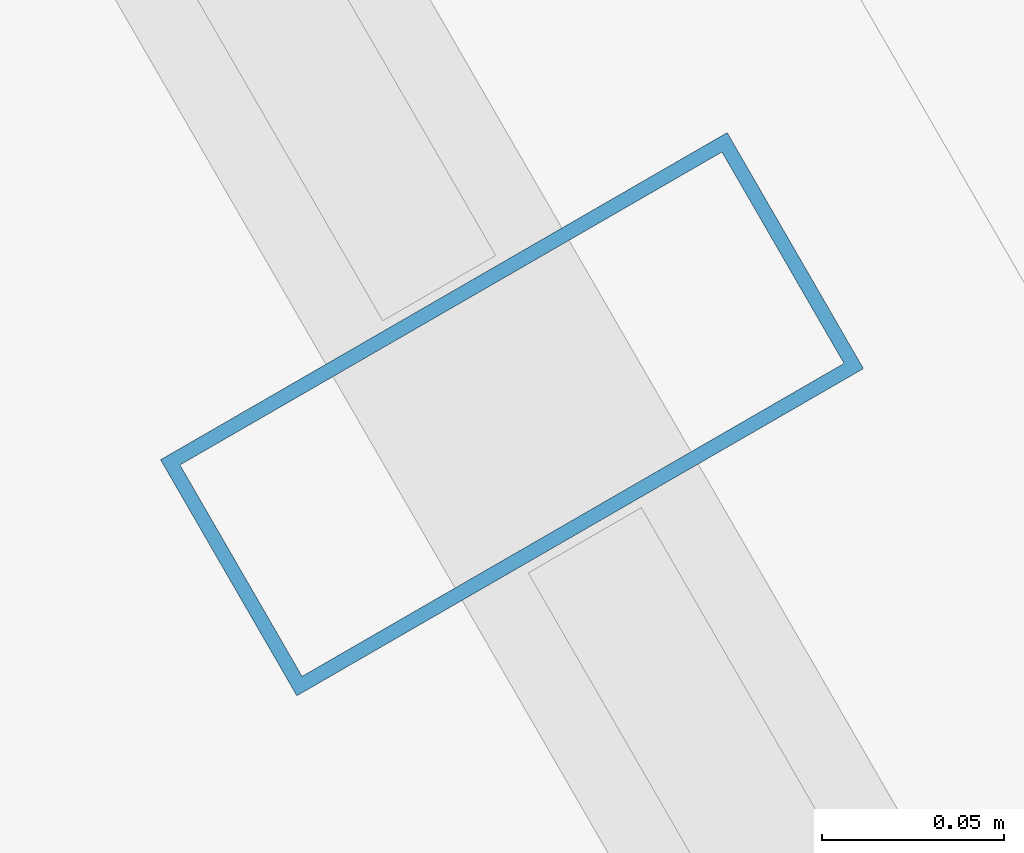
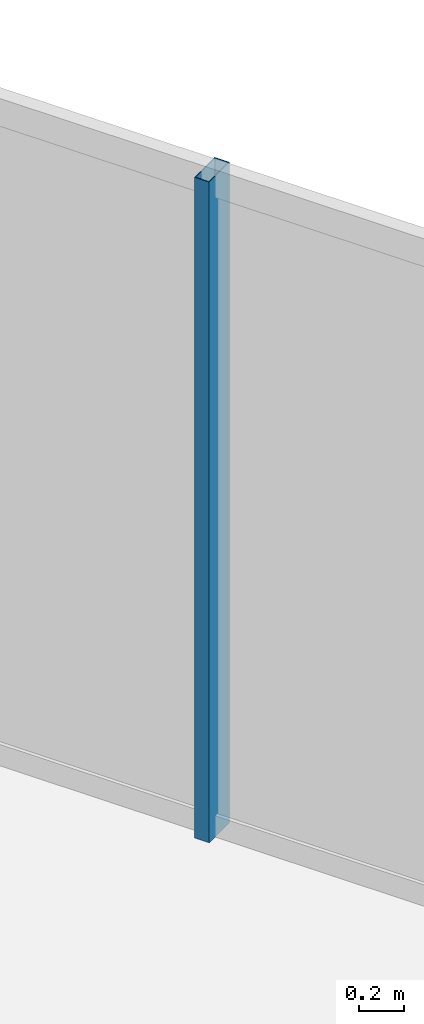
# One storey, part 27 of 35: 1 member, 1 element without a shape of its own.
"""IFC4 building model written with IfcOpenShell, lengths in metres."""

from ifc_helpers import new_model, si_unit, direction, frame, origin, origin_2d, place, context, subcontext, project, spatial, hollow_rectangle, extrude, material, layer, layer_set, material_profile, profile_set, type_object, element, aggregate, save


model = new_model("IFC4")

# Units and contexts
model_context = context("Model", 3, precision=1e-05, world=origin(), true_north=direction((0.0, 1.0)))
body_context = subcontext(model_context, "Body", "Model", "MODEL_VIEW")
ifc_project = project(units=[si_unit("LENGTHUNIT", "METRE"), si_unit("AREAUNIT", "SQUARE_METRE"), si_unit("VOLUMEUNIT", "CUBIC_METRE"), si_unit("PLANEANGLEUNIT", "RADIAN"), si_unit("MASSUNIT", "GRAM", prefix="KILO")], contexts=[model_context])

# Site, building, storey
site_placement = place(None, origin())
site = spatial("IfcSite", under=ifc_project, at=site_placement, CompositionType="ELEMENT")
building_placement = place(site_placement, origin())
building = spatial("IfcBuilding", under=site, at=building_placement, Name="Ndaravel Arena Tower", CompositionType="ELEMENT")
storey_placement = place(building_placement, frame((0.0, 0.0, 271.199951171875)))
storey = spatial("IfcBuildingStorey", under=building, at=storey_placement, Name="L66", CompositionType="ELEMENT", Elevation=271.199951171875)

# Curtain wall, member
ifc_material_1 = material(Name="Aluminium", Category="aluminium")
ifc_layer = layer(ifc_material_1, 0.179931640625)
ifc_layer_set = layer_set([ifc_layer], Name="Aluminium")
curtain_wall_type = type_object("IfcCurtainWallType", Name="CW-SYS-03", PredefinedType="NOTDEFINED", material=ifc_layer_set)
curtain_wall_placement = place(storey_placement, origin())
curtain_wall = element("IfcCurtainWall", 1, at=curtain_wall_placement, inside=storey, type_object=curtain_wall_type, Name="L66 Faceted Crystal Curtain Wall CW-L66-E03", PredefinedType="NOTDEFINED")
ifc_material_2 = material(Name="Aluminium", Category="aluminium")
ifc_material_profile = material_profile(ifc_material_2, hollow_rectangle(XDim=0.074951171875, YDim=0.179931640625, WallThickness=0.00390625, at=origin_2d()), Name="CW MULLION 75x180x4")
ifc_profile_set = profile_set([ifc_material_profile], Name="Aluminium")
member_type = type_object("IfcMemberType", Name="MEM-CW-MUL180", PredefinedType="MULLION", material=ifc_profile_set)
member_placement = place(storey_placement, frame((53.41552734375, 28.7734375, 0.0), z_axis=(0.0, 0.0, 1.0), x_axis=(-0.5, 0.866025403784, 0.0)))
member = element("IfcMember", 2, at=member_placement, type_object=member_type, Name="CW-L66-E03 Mullion 05", PredefinedType="MULLION", context=body_context, shape_type="SweptSolid", body=[
    extrude(hollow_rectangle(XDim=0.074951171875, YDim=0.179931640625, WallThickness=0.00390625, at=origin_2d()), origin(), (0.0, 0.0, 1.0), 3.580078125),
])
aggregate(curtain_wall, [member])

save(model, "model.ifc")
